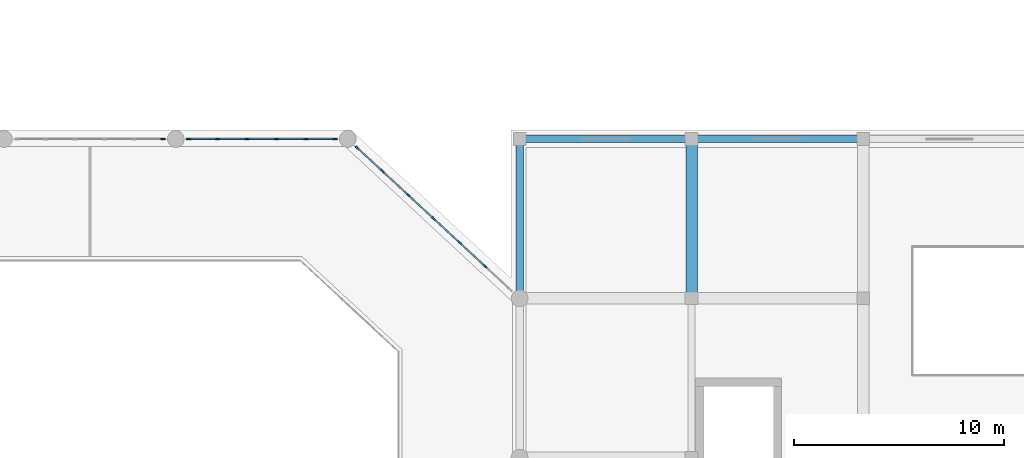
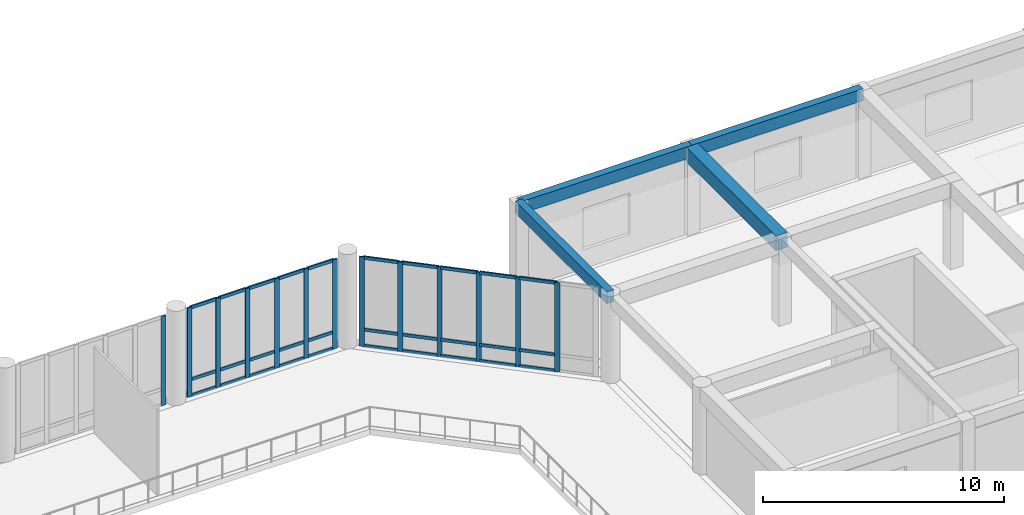
# One storey, part 16 of 57: 43 members, 4 beams, 3 elements without a shape of their own.
"""IFC4 building model written with IfcOpenShell, lengths in metres."""

from ifc_helpers import new_model, si_unit, direction, frame, origin, origin_2d, place, context, subcontext, project, spatial, rectangle, extrude, material, material_profile, profile_set, type_object, element, aggregate, save


model = new_model("IFC4")

# Units and contexts
model_context = context("Model", 3, precision=1e-05, world=origin(), true_north=direction((0.0, 1.0)))
body_context = subcontext(model_context, "Body", "Model", "MODEL_VIEW")
ifc_project = project(units=[si_unit("LENGTHUNIT", "METRE"), si_unit("AREAUNIT", "SQUARE_METRE"), si_unit("VOLUMEUNIT", "CUBIC_METRE"), si_unit("PLANEANGLEUNIT", "RADIAN"), si_unit("MASSUNIT", "GRAM", prefix="KILO")], contexts=[model_context])

# Site, building, storey
site_placement = place(None, origin())
site = spatial("IfcSite", under=ifc_project, at=site_placement, CompositionType="ELEMENT")
building_placement = place(site_placement, origin())
building = spatial("IfcBuilding", under=site, at=building_placement, Name="Qandaris Square Conservatory and Botanical Centre", CompositionType="ELEMENT")
storey_placement = place(building_placement, frame((0.0, 0.0, 5.39990234375)))
storey = spatial("IfcBuildingStorey", under=building, at=storey_placement, Name="L01", CompositionType="ELEMENT", Elevation=5.39990234375)

# Curtain wall, members
ifc_material_1 = material(Name="Anodised Aluminium", Category="aluminium")
curtain_wall_type_1 = type_object("IfcCurtainWallType", Name="Unitised Curtain Wall CW-1-1002x452", PredefinedType="USERDEFINED", material=ifc_material_1)
curtain_wall_1_placement = place(storey_placement, origin())
curtain_wall_1 = element("IfcCurtainWall", 1, at=curtain_wall_1_placement, inside=storey, type_object=curtain_wall_type_1, Name="Curtain Wall CW-CON-L01-4-1", ObjectType="GLAZED CURTAIN WALL", PredefinedType="USERDEFINED")
ifc_material_profile_1 = material_profile(ifc_material_1, rectangle(XDim=0.074951171875, YDim=0.219970703125, at=origin_2d()), Name="ALU-MUL 75x220")
ifc_profile_set_1 = profile_set([ifc_material_profile_1], Name="Anodised Aluminium")
member_type_1 = type_object("IfcMemberType", Name="Conservatory Heavy Mullion 75x220", PredefinedType="MULLION", material=ifc_profile_set_1)
member_1_placement = place(storey_placement, frame((55.5498046875, 109.32958984375, 0.0), z_axis=(0.0, 0.0, 1.0), x_axis=(-0.679761784592, -0.733432966404, 0.0)))
member_1 = element("IfcMember", 2, at=member_1_placement, type_object=member_type_1, Name="CW-1-1002x452 mullion 2", PredefinedType="MULLION", context=body_context, shape_type="SweptSolid", body=[
    extrude(rectangle(XDim=0.074951171875, YDim=0.219970703125, at=origin_2d()), origin(), (0.0, 0.0, 1.0), 4.52001953125),
])
member_2_placement = place(storey_placement, frame((54.324951171875, 110.46484375, 0.0), z_axis=(0.0, 0.0, 1.0), x_axis=(-0.679761784592, -0.733432966404, 0.0)))
member_2 = element("IfcMember", 3, at=member_2_placement, type_object=member_type_1, Name="CW-1-1002x452 mullion 3", PredefinedType="MULLION", context=body_context, shape_type="SweptSolid", body=[
    extrude(rectangle(XDim=0.074951171875, YDim=0.219970703125, at=origin_2d()), origin(), (0.0, 0.0, 1.0), 4.52001953125),
])
member_3_placement = place(storey_placement, frame((53.10009765625, 111.60009765625, 0.0), z_axis=(0.0, 0.0, 1.0), x_axis=(-0.679761784592, -0.733432966404, 0.0)))
member_3 = element("IfcMember", 4, at=member_3_placement, type_object=member_type_1, Name="CW-1-1002x452 mullion 4", PredefinedType="MULLION", context=body_context, shape_type="SweptSolid", body=[
    extrude(rectangle(XDim=0.074951171875, YDim=0.219970703125, at=origin_2d()), origin(), (0.0, 0.0, 1.0), 4.52001953125),
])
member_4_placement = place(storey_placement, frame((51.875244140625, 112.7353515625, 0.0), z_axis=(0.0, 0.0, 1.0), x_axis=(-0.679761784592, -0.733432966404, 0.0)))
member_4 = element("IfcMember", 5, at=member_4_placement, type_object=member_type_1, Name="CW-1-1002x452 mullion 5", PredefinedType="MULLION", context=body_context, shape_type="SweptSolid", body=[
    extrude(rectangle(XDim=0.074951171875, YDim=0.219970703125, at=origin_2d()), origin(), (0.0, 0.0, 1.0), 4.52001953125),
])
member_5_placement = place(storey_placement, frame((50.650146484375, 113.870361328125, 0.0), z_axis=(0.0, 0.0, 1.0), x_axis=(-0.679761784592, -0.733432966404, 0.0)))
member_5 = element("IfcMember", 6, at=member_5_placement, type_object=member_type_1, Name="CW-1-1002x452 mullion 6", PredefinedType="MULLION", context=body_context, shape_type="SweptSolid", body=[
    extrude(rectangle(XDim=0.074951171875, YDim=0.219970703125, at=origin_2d()), origin(), (0.0, 0.0, 1.0), 4.52001953125),
])
member_6_placement = place(storey_placement, frame((49.452880859375, 114.980224609375, 0.0), z_axis=(0.0, 0.0, 1.0), x_axis=(-0.679761784592, -0.733432966404, 0.0)))
member_6 = element("IfcMember", 7, at=member_6_placement, type_object=member_type_1, Name="CW-1-1002x452 mullion 7", PredefinedType="MULLION", context=body_context, shape_type="SweptSolid", body=[
    extrude(rectangle(XDim=0.074951171875, YDim=0.219970703125, at=origin_2d()), origin(), (0.0, 0.0, 1.0), 4.52001953125),
])

curtain_wall_type_2 = type_object("IfcCurtainWallType", Name="Unitised Curtain Wall CW-1-704x452", PredefinedType="USERDEFINED", material=ifc_material_1)
curtain_wall_2_placement = place(storey_placement, origin())
curtain_wall_2 = element("IfcCurtainWall", 8, at=curtain_wall_2_placement, inside=storey, type_object=curtain_wall_type_2, Name="Curtain Wall CW-CON-L01-5-1", ObjectType="GLAZED CURTAIN WALL", PredefinedType="USERDEFINED")
member_7_placement = place(storey_placement, frame((48.382568359375, 115.39990234375, 0.0), z_axis=(0.0, 0.0, 1.0), x_axis=(0.0, -1.0, 0.0)))
member_7 = element("IfcMember", 9, at=member_7_placement, type_object=member_type_1, Name="CW-1-704x452 mullion 1", PredefinedType="MULLION", context=body_context, shape_type="SweptSolid", body=[
    extrude(rectangle(XDim=0.074951171875, YDim=0.219970703125, at=origin_2d()), origin(), (0.0, 0.0, 1.0), 4.52001953125),
])
member_8_placement = place(storey_placement, frame((47.011962890625, 115.39990234375, 0.0), z_axis=(0.0, 0.0, 1.0), x_axis=(0.0, -1.0, 0.0)))
member_8 = element("IfcMember", 10, at=member_8_placement, type_object=member_type_1, Name="CW-1-704x452 mullion 2", PredefinedType="MULLION", context=body_context, shape_type="SweptSolid", body=[
    extrude(rectangle(XDim=0.074951171875, YDim=0.219970703125, at=origin_2d()), origin(), (0.0, 0.0, 1.0), 4.52001953125),
])
member_9_placement = place(storey_placement, frame((45.60400390625, 115.39990234375, 0.0), z_axis=(0.0, 0.0, 1.0), x_axis=(0.0, -1.0, 0.0)))
member_9 = element("IfcMember", 11, at=member_9_placement, type_object=member_type_1, Name="CW-1-704x452 mullion 3", PredefinedType="MULLION", context=body_context, shape_type="SweptSolid", body=[
    extrude(rectangle(XDim=0.074951171875, YDim=0.219970703125, at=origin_2d()), origin(), (0.0, 0.0, 1.0), 4.52001953125),
])
member_10_placement = place(storey_placement, frame((44.196044921875, 115.39990234375, 0.0), z_axis=(0.0, 0.0, 1.0), x_axis=(0.0, -1.0, 0.0)))
member_10 = element("IfcMember", 12, at=member_10_placement, type_object=member_type_1, Name="CW-1-704x452 mullion 4", PredefinedType="MULLION", context=body_context, shape_type="SweptSolid", body=[
    extrude(rectangle(XDim=0.074951171875, YDim=0.219970703125, at=origin_2d()), origin(), (0.0, 0.0, 1.0), 4.52001953125),
])
member_11_placement = place(storey_placement, frame((42.7880859375, 115.39990234375, 0.0), z_axis=(0.0, 0.0, 1.0), x_axis=(0.0, -1.0, 0.0)))
member_11 = element("IfcMember", 13, at=member_11_placement, type_object=member_type_1, Name="CW-1-704x452 mullion 5", PredefinedType="MULLION", context=body_context, shape_type="SweptSolid", body=[
    extrude(rectangle(XDim=0.074951171875, YDim=0.219970703125, at=origin_2d()), origin(), (0.0, 0.0, 1.0), 4.52001953125),
])
member_12_placement = place(storey_placement, frame((41.41748046875, 115.39990234375, 0.0), z_axis=(0.0, 0.0, 1.0), x_axis=(0.0, -1.0, 0.0)))
member_12 = element("IfcMember", 14, at=member_12_placement, type_object=member_type_1, Name="CW-1-704x452 mullion 6", PredefinedType="MULLION", context=body_context, shape_type="SweptSolid", body=[
    extrude(rectangle(XDim=0.074951171875, YDim=0.219970703125, at=origin_2d()), origin(), (0.0, 0.0, 1.0), 4.52001953125),
])

# Curtain wall, member
curtain_wall_3_placement = place(storey_placement, origin())
curtain_wall_3 = element("IfcCurtainWall", 15, at=curtain_wall_3_placement, inside=storey, type_object=curtain_wall_type_2, Name="Curtain Wall CW-CON-L01-5-2", ObjectType="GLAZED CURTAIN WALL", PredefinedType="USERDEFINED")
member_13_placement = place(storey_placement, frame((40.1826171875, 115.39990234375, 0.0), z_axis=(0.0, 0.0, 1.0), x_axis=(0.0, -1.0, 0.0)))
member_13 = element("IfcMember", 16, at=member_13_placement, type_object=member_type_1, Name="CW-1-704x452 mullion 1", PredefinedType="MULLION", context=body_context, shape_type="SweptSolid", body=[
    extrude(rectangle(XDim=0.074951171875, YDim=0.219970703125, at=origin_2d()), origin(), (0.0, 0.0, 1.0), 4.52001953125),
])
aggregate(curtain_wall_3, [member_13])

# Member
ifc_material_profile_2 = material_profile(ifc_material_1, rectangle(XDim=0.074951171875, YDim=0.159912109375, at=origin_2d()), Name="ALU-TRN 75x160")
ifc_profile_set_2 = profile_set([ifc_material_profile_2], Name="Anodised Aluminium")
member_type_2 = type_object("IfcMemberType", Name="Conservatory Heavy Transom 75x160", PredefinedType="USERDEFINED", material=ifc_profile_set_2)
member_14_placement = place(storey_placement, frame((55.522216796875, 109.35498046875, 0.03759765625), z_axis=(-0.733458213943, 0.679734542597, 0.0), x_axis=(-0.679734542597, -0.733458213943, 0.0)))
member_14 = element("IfcMember", 17, at=member_14_placement, type_object=member_type_2, Name="CW-1-1002x452 transom 2.1", ObjectType="TRANSOM", PredefinedType="USERDEFINED", context=body_context, shape_type="SweptSolid", body=[
    extrude(rectangle(XDim=0.074951171875, YDim=0.159912109375, at=origin_2d()), origin(), (0.0, 0.0, 1.0), 1.594970703125),
])

member_15_placement = place(storey_placement, frame((55.522216796875, 109.35498046875, 0.85009765625), z_axis=(-0.733458213943, 0.679734542597, 0.0), x_axis=(-0.679734542597, -0.733458213943, 0.0)))
member_15 = element("IfcMember", 18, at=member_15_placement, type_object=member_type_2, Name="CW-1-1002x452 transom 2.2", ObjectType="TRANSOM", PredefinedType="USERDEFINED", context=body_context, shape_type="SweptSolid", body=[
    extrude(rectangle(XDim=0.074951171875, YDim=0.159912109375, at=origin_2d()), origin(), (0.0, 0.0, 1.0), 1.594970703125),
])

member_16_placement = place(storey_placement, frame((55.522216796875, 109.35498046875, 4.482666015625), z_axis=(-0.733458213943, 0.679734542597, 0.0), x_axis=(-0.679734542597, -0.733458213943, 0.0)))
member_16 = element("IfcMember", 19, at=member_16_placement, type_object=member_type_2, Name="CW-1-1002x452 transom 2.3", ObjectType="TRANSOM", PredefinedType="USERDEFINED", context=body_context, shape_type="SweptSolid", body=[
    extrude(rectangle(XDim=0.074951171875, YDim=0.159912109375, at=origin_2d()), origin(), (0.0, 0.0, 1.0), 1.594970703125),
])

member_17_placement = place(storey_placement, frame((54.29736328125, 110.490234375, 0.03759765625), z_axis=(-0.733458213943, 0.679734542597, 0.0), x_axis=(-0.679734542597, -0.733458213943, 0.0)))
member_17 = element("IfcMember", 20, at=member_17_placement, type_object=member_type_2, Name="CW-1-1002x452 transom 3.1", ObjectType="TRANSOM", PredefinedType="USERDEFINED", context=body_context, shape_type="SweptSolid", body=[
    extrude(rectangle(XDim=0.074951171875, YDim=0.159912109375, at=origin_2d()), origin(), (0.0, 0.0, 1.0), 1.594970703125),
])

member_18_placement = place(storey_placement, frame((54.29736328125, 110.490234375, 0.85009765625), z_axis=(-0.733458213943, 0.679734542597, 0.0), x_axis=(-0.679734542597, -0.733458213943, 0.0)))
member_18 = element("IfcMember", 21, at=member_18_placement, type_object=member_type_2, Name="CW-1-1002x452 transom 3.2", ObjectType="TRANSOM", PredefinedType="USERDEFINED", context=body_context, shape_type="SweptSolid", body=[
    extrude(rectangle(XDim=0.074951171875, YDim=0.159912109375, at=origin_2d()), origin(), (0.0, 0.0, 1.0), 1.594970703125),
])

member_19_placement = place(storey_placement, frame((54.29736328125, 110.490234375, 4.482666015625), z_axis=(-0.733458213943, 0.679734542597, 0.0), x_axis=(-0.679734542597, -0.733458213943, 0.0)))
member_19 = element("IfcMember", 22, at=member_19_placement, type_object=member_type_2, Name="CW-1-1002x452 transom 3.3", ObjectType="TRANSOM", PredefinedType="USERDEFINED", context=body_context, shape_type="SweptSolid", body=[
    extrude(rectangle(XDim=0.074951171875, YDim=0.159912109375, at=origin_2d()), origin(), (0.0, 0.0, 1.0), 1.594970703125),
])

member_20_placement = place(storey_placement, frame((53.072509765625, 111.62548828125, 0.03759765625), z_axis=(-0.733458213943, 0.679734542597, 0.0), x_axis=(-0.679734542597, -0.733458213943, 0.0)))
member_20 = element("IfcMember", 23, at=member_20_placement, type_object=member_type_2, Name="CW-1-1002x452 transom 4.1", ObjectType="TRANSOM", PredefinedType="USERDEFINED", context=body_context, shape_type="SweptSolid", body=[
    extrude(rectangle(XDim=0.074951171875, YDim=0.159912109375, at=origin_2d()), origin(), (0.0, 0.0, 1.0), 1.594970703125),
])

member_21_placement = place(storey_placement, frame((53.072509765625, 111.62548828125, 0.85009765625), z_axis=(-0.733458213943, 0.679734542597, 0.0), x_axis=(-0.679734542597, -0.733458213943, 0.0)))
member_21 = element("IfcMember", 24, at=member_21_placement, type_object=member_type_2, Name="CW-1-1002x452 transom 4.2", ObjectType="TRANSOM", PredefinedType="USERDEFINED", context=body_context, shape_type="SweptSolid", body=[
    extrude(rectangle(XDim=0.074951171875, YDim=0.159912109375, at=origin_2d()), origin(), (0.0, 0.0, 1.0), 1.594970703125),
])

member_22_placement = place(storey_placement, frame((53.072509765625, 111.62548828125, 4.482666015625), z_axis=(-0.733458213943, 0.679734542597, 0.0), x_axis=(-0.679734542597, -0.733458213943, 0.0)))
member_22 = element("IfcMember", 25, at=member_22_placement, type_object=member_type_2, Name="CW-1-1002x452 transom 4.3", ObjectType="TRANSOM", PredefinedType="USERDEFINED", context=body_context, shape_type="SweptSolid", body=[
    extrude(rectangle(XDim=0.074951171875, YDim=0.159912109375, at=origin_2d()), origin(), (0.0, 0.0, 1.0), 1.594970703125),
])

member_23_placement = place(storey_placement, frame((51.84765625, 112.7607421875, 0.03759765625), z_axis=(-0.733458213943, 0.679734542597, 0.0), x_axis=(-0.679734542597, -0.733458213943, 0.0)))
member_23 = element("IfcMember", 26, at=member_23_placement, type_object=member_type_2, Name="CW-1-1002x452 transom 5.1", ObjectType="TRANSOM", PredefinedType="USERDEFINED", context=body_context, shape_type="SweptSolid", body=[
    extrude(rectangle(XDim=0.074951171875, YDim=0.159912109375, at=origin_2d()), origin(), (0.0, 0.0, 1.0), 1.594970703125),
])

member_24_placement = place(storey_placement, frame((51.84765625, 112.7607421875, 0.85009765625), z_axis=(-0.733458213943, 0.679734542597, 0.0), x_axis=(-0.679734542597, -0.733458213943, 0.0)))
member_24 = element("IfcMember", 27, at=member_24_placement, type_object=member_type_2, Name="CW-1-1002x452 transom 5.2", ObjectType="TRANSOM", PredefinedType="USERDEFINED", context=body_context, shape_type="SweptSolid", body=[
    extrude(rectangle(XDim=0.074951171875, YDim=0.159912109375, at=origin_2d()), origin(), (0.0, 0.0, 1.0), 1.594970703125),
])

member_25_placement = place(storey_placement, frame((51.84765625, 112.7607421875, 4.482666015625), z_axis=(-0.733458213943, 0.679734542597, 0.0), x_axis=(-0.679734542597, -0.733458213943, 0.0)))
member_25 = element("IfcMember", 28, at=member_25_placement, type_object=member_type_2, Name="CW-1-1002x452 transom 5.3", ObjectType="TRANSOM", PredefinedType="USERDEFINED", context=body_context, shape_type="SweptSolid", body=[
    extrude(rectangle(XDim=0.074951171875, YDim=0.159912109375, at=origin_2d()), origin(), (0.0, 0.0, 1.0), 1.594970703125),
])

member_26_placement = place(storey_placement, frame((50.622802734375, 113.89599609375, 0.03759765625), z_axis=(-0.733401706001, 0.679795511632, 0.0), x_axis=(-0.679795511632, -0.733401706001, 0.0)))
member_26 = element("IfcMember", 29, at=member_26_placement, type_object=member_type_2, Name="CW-1-1002x452 transom 6.1", ObjectType="TRANSOM", PredefinedType="USERDEFINED", context=body_context, shape_type="SweptSolid", body=[
    extrude(rectangle(XDim=0.074951171875, YDim=0.159912109375, at=origin_2d()), origin(), (0.0, 0.0, 1.0), 1.5576171875),
])

member_27_placement = place(storey_placement, frame((50.622802734375, 113.89599609375, 0.85009765625), z_axis=(-0.733401706001, 0.679795511632, 0.0), x_axis=(-0.679795511632, -0.733401706001, 0.0)))
member_27 = element("IfcMember", 30, at=member_27_placement, type_object=member_type_2, Name="CW-1-1002x452 transom 6.2", ObjectType="TRANSOM", PredefinedType="USERDEFINED", context=body_context, shape_type="SweptSolid", body=[
    extrude(rectangle(XDim=0.074951171875, YDim=0.159912109375, at=origin_2d()), origin(), (0.0, 0.0, 1.0), 1.5576171875),
])

member_28_placement = place(storey_placement, frame((50.622802734375, 113.89599609375, 4.482666015625), z_axis=(-0.733401706001, 0.679795511632, 0.0), x_axis=(-0.679795511632, -0.733401706001, 0.0)))
member_28 = element("IfcMember", 31, at=member_28_placement, type_object=member_type_2, Name="CW-1-1002x452 transom 6.3", ObjectType="TRANSOM", PredefinedType="USERDEFINED", context=body_context, shape_type="SweptSolid", body=[
    extrude(rectangle(XDim=0.074951171875, YDim=0.159912109375, at=origin_2d()), origin(), (0.0, 0.0, 1.0), 1.5576171875),
])

aggregate(curtain_wall_1, [member_1, member_2, member_3, member_4, member_5, member_6, member_14, member_15, member_16, member_17, member_18, member_19, member_20, member_21, member_22, member_23, member_24, member_25, member_26, member_27, member_28])

member_29_placement = place(storey_placement, frame((48.344970703125, 115.39990234375, 0.03759765625), z_axis=(-1.0, 0.0, 0.0), x_axis=(0.0, -1.0, 0.0)))
member_29 = element("IfcMember", 32, at=member_29_placement, type_object=member_type_2, Name="CW-1-704x452 transom 1.1", ObjectType="TRANSOM", PredefinedType="USERDEFINED", context=body_context, shape_type="SweptSolid", body=[
    extrude(rectangle(XDim=0.074951171875, YDim=0.159912109375, at=origin_2d()), origin(), (0.0, 0.0, 1.0), 1.29541015625),
])

member_30_placement = place(storey_placement, frame((48.344970703125, 115.39990234375, 0.85009765625), z_axis=(-1.0, 0.0, 0.0), x_axis=(0.0, -1.0, 0.0)))
member_30 = element("IfcMember", 33, at=member_30_placement, type_object=member_type_2, Name="CW-1-704x452 transom 1.2", ObjectType="TRANSOM", PredefinedType="USERDEFINED", context=body_context, shape_type="SweptSolid", body=[
    extrude(rectangle(XDim=0.074951171875, YDim=0.159912109375, at=origin_2d()), origin(), (0.0, 0.0, 1.0), 1.29541015625),
])

member_31_placement = place(storey_placement, frame((48.344970703125, 115.39990234375, 4.482666015625), z_axis=(-1.0, 0.0, 0.0), x_axis=(0.0, -1.0, 0.0)))
member_31 = element("IfcMember", 34, at=member_31_placement, type_object=member_type_2, Name="CW-1-704x452 transom 1.3", ObjectType="TRANSOM", PredefinedType="USERDEFINED", context=body_context, shape_type="SweptSolid", body=[
    extrude(rectangle(XDim=0.074951171875, YDim=0.159912109375, at=origin_2d()), origin(), (0.0, 0.0, 1.0), 1.29541015625),
])

member_32_placement = place(storey_placement, frame((46.974609375, 115.39990234375, 0.03759765625), z_axis=(-1.0, 0.0, 0.0), x_axis=(0.0, -1.0, 0.0)))
member_32 = element("IfcMember", 35, at=member_32_placement, type_object=member_type_2, Name="CW-1-704x452 transom 2.1", ObjectType="TRANSOM", PredefinedType="USERDEFINED", context=body_context, shape_type="SweptSolid", body=[
    extrude(rectangle(XDim=0.074951171875, YDim=0.159912109375, at=origin_2d()), origin(), (0.0, 0.0, 1.0), 1.3330078125),
])

member_33_placement = place(storey_placement, frame((46.974609375, 115.39990234375, 0.85009765625), z_axis=(-1.0, 0.0, 0.0), x_axis=(0.0, -1.0, 0.0)))
member_33 = element("IfcMember", 36, at=member_33_placement, type_object=member_type_2, Name="CW-1-704x452 transom 2.2", ObjectType="TRANSOM", PredefinedType="USERDEFINED", context=body_context, shape_type="SweptSolid", body=[
    extrude(rectangle(XDim=0.074951171875, YDim=0.159912109375, at=origin_2d()), origin(), (0.0, 0.0, 1.0), 1.3330078125),
])

member_34_placement = place(storey_placement, frame((46.974609375, 115.39990234375, 4.482666015625), z_axis=(-1.0, 0.0, 0.0), x_axis=(0.0, -1.0, 0.0)))
member_34 = element("IfcMember", 37, at=member_34_placement, type_object=member_type_2, Name="CW-1-704x452 transom 2.3", ObjectType="TRANSOM", PredefinedType="USERDEFINED", context=body_context, shape_type="SweptSolid", body=[
    extrude(rectangle(XDim=0.074951171875, YDim=0.159912109375, at=origin_2d()), origin(), (0.0, 0.0, 1.0), 1.3330078125),
])

member_35_placement = place(storey_placement, frame((45.56640625, 115.39990234375, 0.03759765625), z_axis=(-1.0, 0.0, 0.0), x_axis=(0.0, -1.0, 0.0)))
member_35 = element("IfcMember", 38, at=member_35_placement, type_object=member_type_2, Name="CW-1-704x452 transom 3.1", ObjectType="TRANSOM", PredefinedType="USERDEFINED", context=body_context, shape_type="SweptSolid", body=[
    extrude(rectangle(XDim=0.074951171875, YDim=0.159912109375, at=origin_2d()), origin(), (0.0, 0.0, 1.0), 1.3330078125),
])

member_36_placement = place(storey_placement, frame((45.56640625, 115.39990234375, 0.85009765625), z_axis=(-1.0, 0.0, 0.0), x_axis=(0.0, -1.0, 0.0)))
member_36 = element("IfcMember", 39, at=member_36_placement, type_object=member_type_2, Name="CW-1-704x452 transom 3.2", ObjectType="TRANSOM", PredefinedType="USERDEFINED", context=body_context, shape_type="SweptSolid", body=[
    extrude(rectangle(XDim=0.074951171875, YDim=0.159912109375, at=origin_2d()), origin(), (0.0, 0.0, 1.0), 1.3330078125),
])

member_37_placement = place(storey_placement, frame((45.56640625, 115.39990234375, 4.482666015625), z_axis=(-1.0, 0.0, 0.0), x_axis=(0.0, -1.0, 0.0)))
member_37 = element("IfcMember", 40, at=member_37_placement, type_object=member_type_2, Name="CW-1-704x452 transom 3.3", ObjectType="TRANSOM", PredefinedType="USERDEFINED", context=body_context, shape_type="SweptSolid", body=[
    extrude(rectangle(XDim=0.074951171875, YDim=0.159912109375, at=origin_2d()), origin(), (0.0, 0.0, 1.0), 1.3330078125),
])

member_38_placement = place(storey_placement, frame((44.158447265625, 115.39990234375, 0.03759765625), z_axis=(-1.0, 0.0, 0.0), x_axis=(0.0, -1.0, 0.0)))
member_38 = element("IfcMember", 41, at=member_38_placement, type_object=member_type_2, Name="CW-1-704x452 transom 4.1", ObjectType="TRANSOM", PredefinedType="USERDEFINED", context=body_context, shape_type="SweptSolid", body=[
    extrude(rectangle(XDim=0.074951171875, YDim=0.159912109375, at=origin_2d()), origin(), (0.0, 0.0, 1.0), 1.3330078125),
])

member_39_placement = place(storey_placement, frame((44.158447265625, 115.39990234375, 0.85009765625), z_axis=(-1.0, 0.0, 0.0), x_axis=(0.0, -1.0, 0.0)))
member_39 = element("IfcMember", 42, at=member_39_placement, type_object=member_type_2, Name="CW-1-704x452 transom 4.2", ObjectType="TRANSOM", PredefinedType="USERDEFINED", context=body_context, shape_type="SweptSolid", body=[
    extrude(rectangle(XDim=0.074951171875, YDim=0.159912109375, at=origin_2d()), origin(), (0.0, 0.0, 1.0), 1.3330078125),
])

member_40_placement = place(storey_placement, frame((44.158447265625, 115.39990234375, 4.482666015625), z_axis=(-1.0, 0.0, 0.0), x_axis=(0.0, -1.0, 0.0)))
member_40 = element("IfcMember", 43, at=member_40_placement, type_object=member_type_2, Name="CW-1-704x452 transom 4.3", ObjectType="TRANSOM", PredefinedType="USERDEFINED", context=body_context, shape_type="SweptSolid", body=[
    extrude(rectangle(XDim=0.074951171875, YDim=0.159912109375, at=origin_2d()), origin(), (0.0, 0.0, 1.0), 1.3330078125),
])

member_41_placement = place(storey_placement, frame((42.75048828125, 115.39990234375, 0.03759765625), z_axis=(-1.0, 0.0, 0.0), x_axis=(0.0, -1.0, 0.0)))
member_41 = element("IfcMember", 44, at=member_41_placement, type_object=member_type_2, Name="CW-1-704x452 transom 5.1", ObjectType="TRANSOM", PredefinedType="USERDEFINED", context=body_context, shape_type="SweptSolid", body=[
    extrude(rectangle(XDim=0.074951171875, YDim=0.159912109375, at=origin_2d()), origin(), (0.0, 0.0, 1.0), 1.29541015625),
])

member_42_placement = place(storey_placement, frame((42.75048828125, 115.39990234375, 0.85009765625), z_axis=(-1.0, 0.0, 0.0), x_axis=(0.0, -1.0, 0.0)))
member_42 = element("IfcMember", 45, at=member_42_placement, type_object=member_type_2, Name="CW-1-704x452 transom 5.2", ObjectType="TRANSOM", PredefinedType="USERDEFINED", context=body_context, shape_type="SweptSolid", body=[
    extrude(rectangle(XDim=0.074951171875, YDim=0.159912109375, at=origin_2d()), origin(), (0.0, 0.0, 1.0), 1.29541015625),
])

member_43_placement = place(storey_placement, frame((42.75048828125, 115.39990234375, 4.482666015625), z_axis=(-1.0, 0.0, 0.0), x_axis=(0.0, -1.0, 0.0)))
member_43 = element("IfcMember", 46, at=member_43_placement, type_object=member_type_2, Name="CW-1-704x452 transom 5.3", ObjectType="TRANSOM", PredefinedType="USERDEFINED", context=body_context, shape_type="SweptSolid", body=[
    extrude(rectangle(XDim=0.074951171875, YDim=0.159912109375, at=origin_2d()), origin(), (0.0, 0.0, 1.0), 1.29541015625),
])

aggregate(curtain_wall_2, [member_7, member_8, member_9, member_10, member_11, member_12, member_29, member_30, member_31, member_32, member_33, member_34, member_35, member_36, member_37, member_38, member_39, member_40, member_41, member_42, member_43])

# Beams
ifc_material_2 = material(Name="Concrete C50/60", Category="concrete")
ifc_material_profile_3 = material_profile(ifc_material_2, rectangle(XDim=0.35009765625, YDim=0.60009765625, at=origin_2d()), Name="RC-SP 350x600")
ifc_profile_set_3 = profile_set([ifc_material_profile_3], Name="Concrete C50/60")
beam_type_1 = type_object("IfcBeamType", Name="RC Edge Spandrel Beam 350x600", PredefinedType="SPANDREL", material=ifc_profile_set_3)
beam_1_placement = place(storey_placement, frame((57.199951171875, 115.39990234375, 4.1201171875), z_axis=(1.0, 0.0, 0.0), x_axis=(0.0, 1.0, 0.0)))
element("IfcBeam", 47, at=beam_1_placement, inside=storey, type_object=beam_type_1, Name="L01 Frame Beam 1019", PredefinedType="SPANDREL", context=body_context, shape_type="SweptSolid", body=[
    extrude(rectangle(XDim=0.35009765625, YDim=0.60009765625, at=origin_2d()), origin(), (0.0, 0.0, 1.0), 8.199951171875),
])
beam_2_placement = place(storey_placement, frame((65.39990234375, 115.39990234375, 4.1201171875), z_axis=(1.0, 0.0, 0.0), x_axis=(0.0, 1.0, 0.0)))
element("IfcBeam", 48, at=beam_2_placement, inside=storey, type_object=beam_type_1, Name="L01 Frame Beam 1020", PredefinedType="SPANDREL", context=body_context, shape_type="SweptSolid", body=[
    extrude(rectangle(XDim=0.35009765625, YDim=0.60009765625, at=origin_2d()), origin(), (0.0, 0.0, 1.0), 8.2001953125),
])
beam_3_placement = place(storey_placement, frame((57.199951171875, 107.800048828125, 4.1201171875), z_axis=(0.0, 1.0, 0.0), x_axis=(-1.0, 0.0, 0.0)))
element("IfcBeam", 49, at=beam_3_placement, inside=storey, type_object=beam_type_1, Name="L01 Frame Beam 1047", PredefinedType="SPANDREL", context=body_context, shape_type="SweptSolid", body=[
    extrude(rectangle(XDim=0.35009765625, YDim=0.60009765625, at=origin_2d()), origin(), (0.0, 0.0, 1.0), 7.599853515625),
])
ifc_material_profile_4 = material_profile(ifc_material_2, rectangle(XDim=0.550048828125, YDim=0.75, at=origin_2d()), Name="RC-BM 550x750")
ifc_profile_set_4 = profile_set([ifc_material_profile_4], Name="Concrete C50/60")
beam_type_2 = type_object("IfcBeamType", Name="RC Plinth Girder 550x750", PredefinedType="BEAM", material=ifc_profile_set_4)
beam_4_placement = place(storey_placement, frame((65.39990234375, 107.800048828125, 4.045166015625), z_axis=(0.0, 1.0, 0.0), x_axis=(-1.0, 0.0, 0.0)))
element("IfcBeam", 50, at=beam_4_placement, inside=storey, type_object=beam_type_2, Name="L01 Frame Beam 1050", PredefinedType="BEAM", context=body_context, shape_type="SweptSolid", body=[
    extrude(rectangle(XDim=0.550048828125, YDim=0.75, at=origin_2d()), origin(), (0.0, 0.0, 1.0), 7.599853515625),
])

save(model, "model.ifc")
